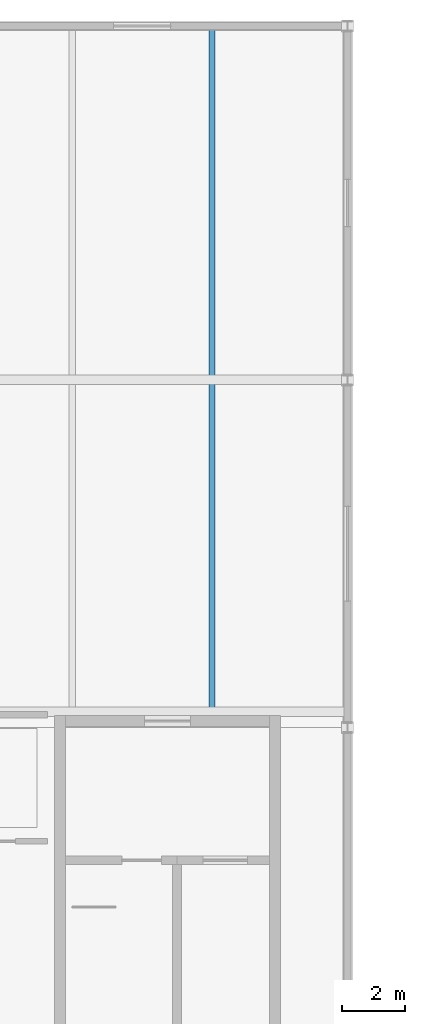
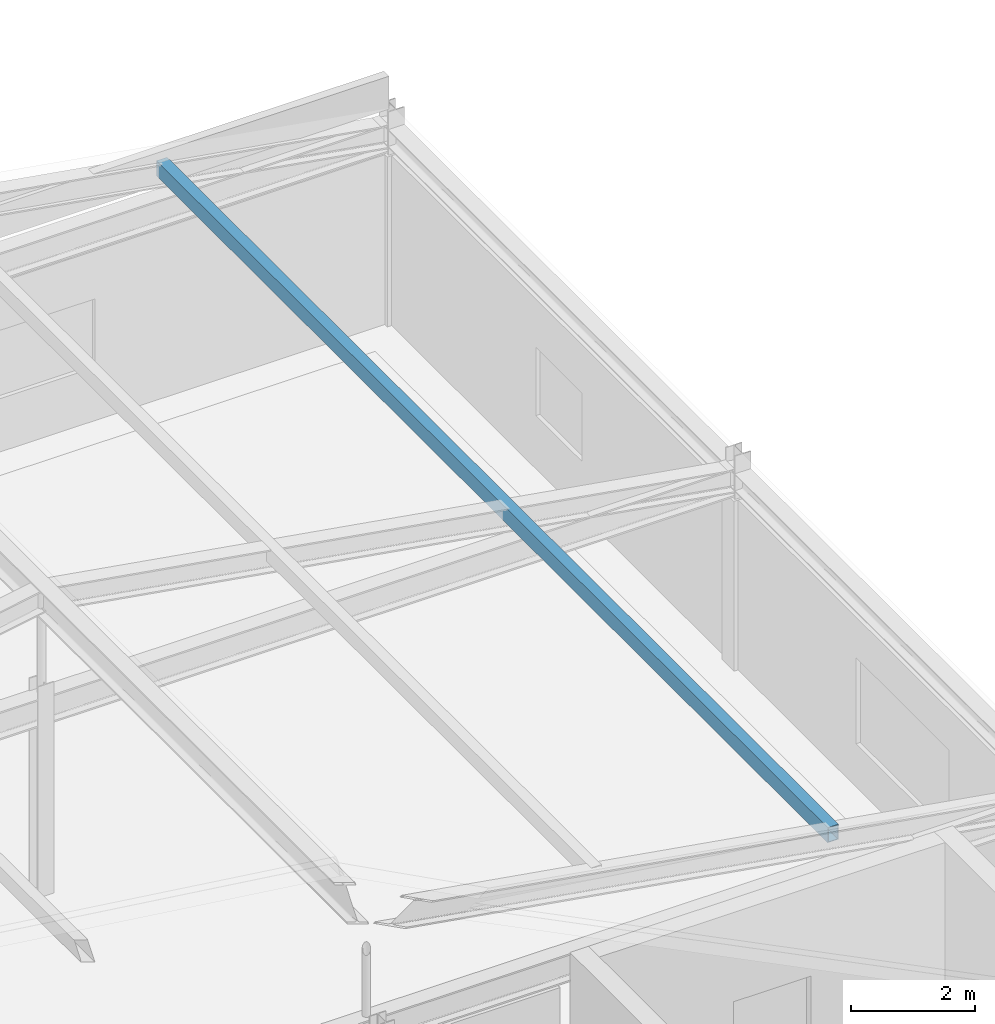
# One storey, part 28 of 63: 1 member.
"""IFC4 building model written with IfcOpenShell, lengths in metres."""

from ifc_helpers import new_model, si_unit, direction, frame, origin, origin_2d, place, context, subcontext, project, spatial, hollow_rectangle, extrude, material, material_profile, profile_set, type_object, element, save


model = new_model("IFC4")

# Units and contexts
model_context = context("Model", 3, precision=1e-05, world=origin(), true_north=direction((0.0, 1.0)))
body_context = subcontext(model_context, "Body", "Model", "MODEL_VIEW")
ifc_project = project(units=[si_unit("LENGTHUNIT", "METRE"), si_unit("AREAUNIT", "SQUARE_METRE"), si_unit("VOLUMEUNIT", "CUBIC_METRE"), si_unit("PLANEANGLEUNIT", "RADIAN"), si_unit("MASSUNIT", "GRAM", prefix="KILO")], contexts=[model_context])

# Site, building, storey
site_placement = place(None, origin())
site = spatial("IfcSite", under=ifc_project, at=site_placement, CompositionType="ELEMENT")
building_placement = place(site_placement, origin())
building = spatial("IfcBuilding", under=site, at=building_placement, Name="Tarnveldt Headland Concert Hall", CompositionType="ELEMENT")
storey_placement = place(building_placement, frame((0.0, 0.0, 14.39990234375)))
storey = spatial("IfcBuildingStorey", under=building, at=storey_placement, Name="L03", CompositionType="ELEMENT", Elevation=14.39990234375)

# Member
ifc_material = material(Name="Steel S355", Category="steel")
ifc_material_profile = material_profile(ifc_material, hollow_rectangle(XDim=0.199951171875, YDim=0.300048828125, WallThickness=0.012451171875, at=origin_2d()), Name="RHS 300x200x12.5", Category="steel")
ifc_profile_set = profile_set([ifc_material_profile], Name="Steel S355")
member_type = type_object("IfcMemberType", Name="PR-RHS300", PredefinedType="PURLIN", material=ifc_profile_set)
member_placement = place(storey_placement, frame((40.2099609375, 93.5, 4.486083984375), z_axis=(0.0, 1.0, 0.0), x_axis=(-1.0, 0.0, 0.0)))
element("IfcMember", 1, at=member_placement, inside=storey, type_object=member_type, Name="Rehearsal roof purlin NE-33", PredefinedType="PURLIN", context=body_context, shape_type="SweptSolid", body=[
    extrude(hollow_rectangle(XDim=0.199951171875, YDim=0.300048828125, WallThickness=0.012451171875, at=origin_2d()), origin(), (0.0, 0.0, 1.0), 21.699951171875),
])

save(model, "model.ifc")
